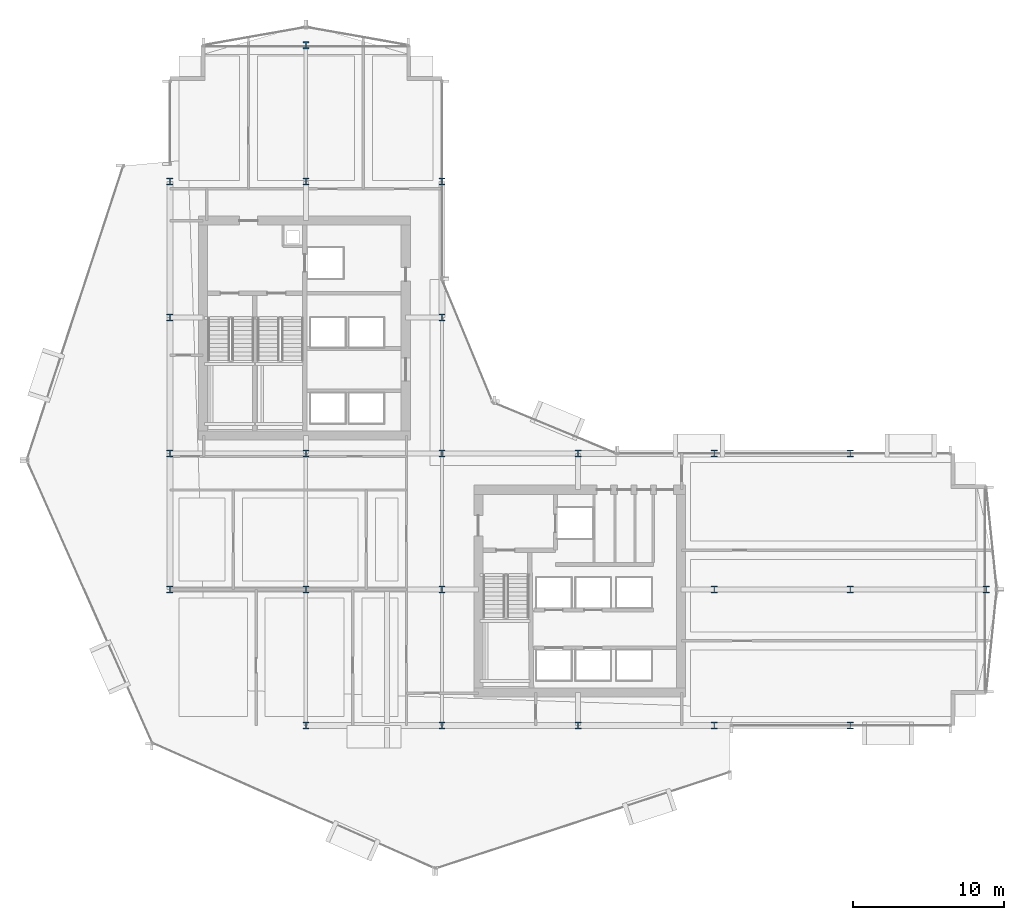
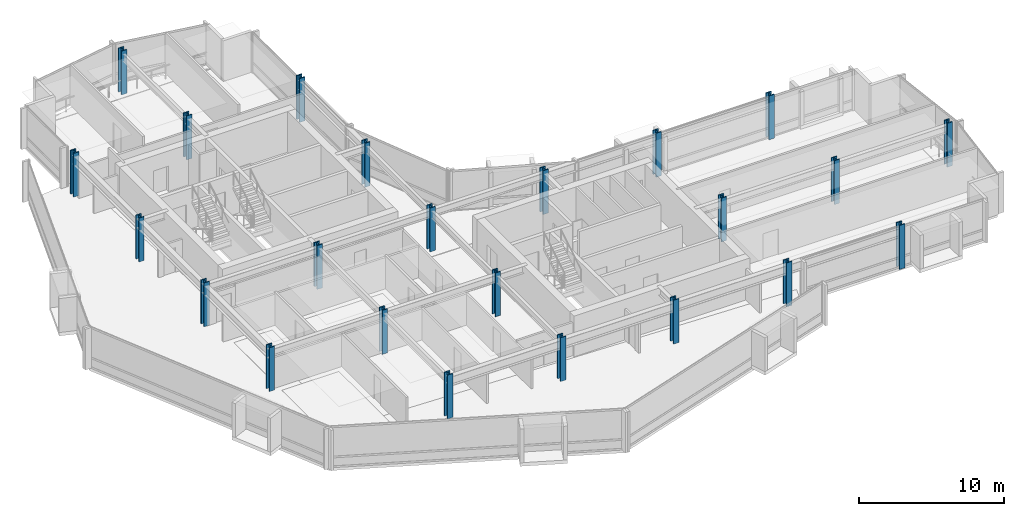
# One storey, part 1 of 34: 23 columns.
"""IFC4 building model written with IfcOpenShell, lengths in metres."""

from ifc_helpers import new_model, si_unit, direction, frame, origin, origin_2d, place, context, subcontext, project, spatial, i_section, extrude, material, material_profile, profile_set, type_object, element, save


model = new_model("IFC4")

# Units and contexts
model_context = context("Model", 3, precision=1e-05, world=origin(), true_north=direction((0.0, 1.0)))
body_context = subcontext(model_context, "Body", "Model", "MODEL_VIEW")
ifc_project = project(units=[si_unit("LENGTHUNIT", "METRE"), si_unit("AREAUNIT", "SQUARE_METRE"), si_unit("VOLUMEUNIT", "CUBIC_METRE"), si_unit("PLANEANGLEUNIT", "RADIAN"), si_unit("MASSUNIT", "GRAM", prefix="KILO")], contexts=[model_context])

# Site, building, storey
site_placement = place(None, origin())
site = spatial("IfcSite", under=ifc_project, at=site_placement, CompositionType="ELEMENT")
building_placement = place(site_placement, origin())
building = spatial("IfcBuilding", under=site, at=building_placement, Name="Solvaryn Broadcast Tower", CompositionType="ELEMENT")
storey_placement = place(building_placement, frame((0.0, 0.0, 69.300048828125)))
storey = spatial("IfcBuildingStorey", under=building, at=storey_placement, Name="L16", CompositionType="ELEMENT", Elevation=69.300048828125)

# Columns
ifc_material_1 = material(Name="Steel ASTM A913 Grade 65", Category="steel")
ifc_material_profile_1 = material_profile(ifc_material_1, i_section(OverallWidth=0.424072265625, OverallDepth=0.47412109375, WebThickness=0.047607421875, FlangeThickness=0.0771484375, FilletRadius=0.014892578125, at=origin_2d()))
ifc_profile_set_1 = profile_set([ifc_material_profile_1], Name="Steel ASTM A913 Grade 65")
column_type_1 = type_object("IfcColumnType", Name="COL-C04E-W14X426", PredefinedType="COLUMN", material=ifc_profile_set_1)
for number, where, z_axis, x_axis, name in (
    (1, (9.0, 18.0, 0.0), (0.0, 0.0, 1.0), (1.0, 0.0, 0.0), "L16 Column (9.0, 18.0)"),
    (2, (9.0, 27.0, 0.0), (0.0, 0.0, 1.0), (1.0, 0.0, 0.0), "L16 Column (9.0, 27.0)"),
    (3, (9.0, 36.0, 0.0), (0.0, 0.0, 1.0), (1.0, 0.0, 0.0), "L16 Column (9.0, 36.0)"),
    (4, (9.0, 45.0, 0.0), (0.0, 0.0, 1.0), (1.0, 0.0, 0.0), "L16 Column (9.0, 45.0)"),
    (5, (18.0, 9.0, 0.0), (0.0, 0.0, 1.0), (1.0, 0.0, 0.0), "L16 Column (18.0, 9.0)"),
    (6, (18.0, 54.0, 0.0), (0.0, 0.0, 1.0), (1.0, 0.0, 0.0), "L16 Column (18.0, 54.0)"),
    (7, (27.0, 9.0, 0.0), (0.0, 0.0, 1.0), (1.0, 0.0, 0.0), "L16 Column (27.0, 9.0)"),
    (8, (27.0, 36.0, 0.0), (0.0, 0.0, 1.0), (1.0, 0.0, 0.0), "L16 Column (27.0, 36.0)"),
    (9, (27.0, 45.0, 0.0), (0.0, 0.0, 1.0), (1.0, 0.0, 0.0), "L16 Column (27.0, 45.0)"),
    (10, (36.0, 9.0, 0.0), (0.0, 0.0, 1.0), (1.0, 0.0, 0.0), "L16 Column (36.0, 9.0)"),
    (11, (36.0, 27.0, 0.0), (0.0, 0.0, 1.0), (1.0, 0.0, 0.0), "L16 Column (36.0, 27.0)"),
    (12, (45.0, 9.0, 0.0), (0.0, 0.0, 1.0), (1.0, 0.0, 0.0), "L16 Column (45.0, 9.0)"),
    (13, (45.0, 27.0, 0.0), (0.0, 0.0, 1.0), (1.0, 0.0, 0.0), "L16 Column (45.0, 27.0)"),
    (14, (54.0, 9.0, 0.0), (0.0, 0.0, 1.0), (1.0, 0.0, 0.0), "L16 Column (54.0, 9.0)"),
    (15, (54.0, 27.0, 0.0), (0.0, 0.0, 1.0), (1.0, 0.0, 0.0), "L16 Column (54.0, 27.0)"),
    (16, (63.0, 18.0, 0.0), (0.0, 0.0, 1.0), (1.0, 0.0, 0.0), "L16 Column (63.0, 18.0)"),
):
    element("IfcColumn", number, at=place(storey_placement, frame(where, z_axis=z_axis, x_axis=x_axis)), inside=storey, type_object=column_type_1, Name=name, PredefinedType="COLUMN", context=body_context, shape_type="SweptSolid", body=[
        extrude(i_section(OverallWidth=0.424072265625, OverallDepth=0.47412109375, WebThickness=0.047607421875, FlangeThickness=0.0771484375, FilletRadius=0.014892578125, at=origin_2d()), origin(), (0.0, 0.0, 1.0), 3.699951171875),
    ])
ifc_material_2 = material(Name="Steel ASTM A913 Grade 65", Category="steel")
ifc_material_profile_2 = material_profile(ifc_material_2, i_section(OverallWidth=0.424072265625, OverallDepth=0.47412109375, WebThickness=0.047607421875, FlangeThickness=0.0771484375, FilletRadius=0.014892578125, at=origin_2d()))
ifc_profile_set_2 = profile_set([ifc_material_profile_2], Name="Steel ASTM A913 Grade 65")
column_type_2 = type_object("IfcColumnType", Name="COL-C04I-W14X426", PredefinedType="COLUMN", material=ifc_profile_set_2)
for number, where, z_axis, x_axis, name in (
    (17, (18.0, 18.0, 0.0), (0.0, 0.0, 1.0), (1.0, 0.0, 0.0), "L16 Column (18.0, 18.0)"),
    (18, (18.0, 27.0, 0.0), (0.0, 0.0, 1.0), (1.0, 0.0, 0.0), "L16 Column (18.0, 27.0)"),
    (19, (18.0, 45.0, 0.0), (0.0, 0.0, 1.0), (1.0, 0.0, 0.0), "L16 Column (18.0, 45.0)"),
    (20, (27.0, 18.0, 0.0), (0.0, 0.0, 1.0), (1.0, 0.0, 0.0), "L16 Column (27.0, 18.0)"),
    (21, (27.0, 27.0, 0.0), (0.0, 0.0, 1.0), (1.0, 0.0, 0.0), "L16 Column (27.0, 27.0)"),
    (22, (45.0, 18.0, 0.0), (0.0, 0.0, 1.0), (1.0, 0.0, 0.0), "L16 Column (45.0, 18.0)"),
    (23, (54.0, 18.0, 0.0), (0.0, 0.0, 1.0), (1.0, 0.0, 0.0), "L16 Column (54.0, 18.0)"),
):
    element("IfcColumn", number, at=place(storey_placement, frame(where, z_axis=z_axis, x_axis=x_axis)), inside=storey, type_object=column_type_2, Name=name, PredefinedType="COLUMN", context=body_context, shape_type="SweptSolid", body=[
        extrude(i_section(OverallWidth=0.424072265625, OverallDepth=0.47412109375, WebThickness=0.047607421875, FlangeThickness=0.0771484375, FilletRadius=0.014892578125, at=origin_2d()), origin(), (0.0, 0.0, 1.0), 3.699951171875),
    ])

save(model, "model.ifc")
